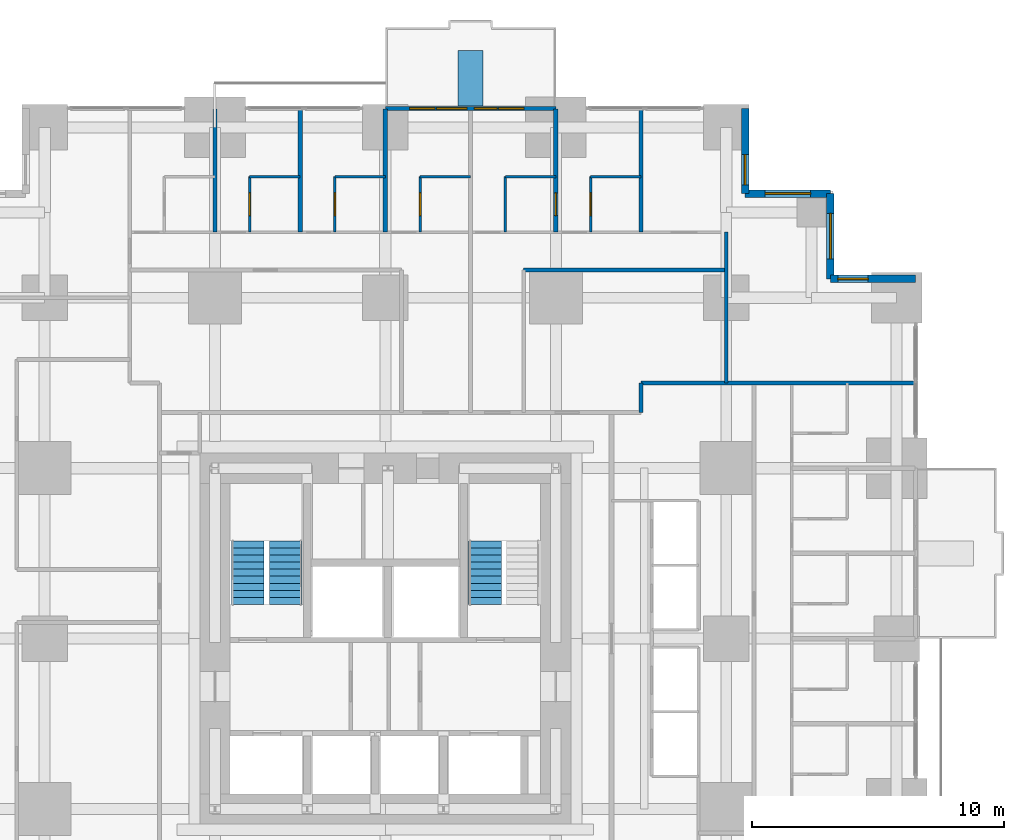
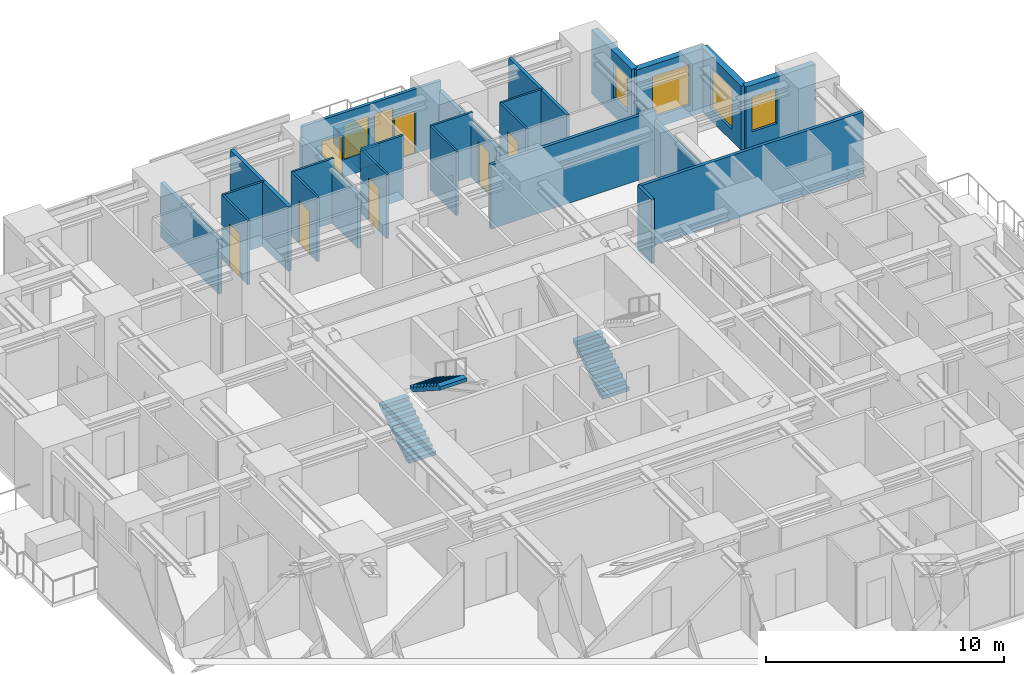
# One storey, part 13 of 15: 25 walls, 7 doors, 6 windows, 3 stair flights, 13 openings, 2 elements without a shape of their own.
"""IFC4 building model written with IfcOpenShell, lengths in metres."""

import ifcopenshell
import ifcopenshell.guid

model = None  # the IFC model being written
_history = None  # IfcOwnerHistory: only IFC2X3 demands one
_inside = {}  # id of a spatial element -> (the spatial element, [elements in it])
_under = {}  # id of a project, library or spatial element -> (it, [spatial elements below it])
_declared = {}  # id of a project -> (the project, [libraries it declares])
_typed = {}  # id of a type object -> (the type object, [elements of that type])
_made_of = {}  # id of a material, layer set ... -> (it, [elements and type objects made of it])


def new_model(schema):
    """Start an empty IFC model of exactly this schema.

    Asked for "IFC4X3", IfcOpenShell would pick the latest addendum, in which some entities
    have other attributes; the version numbers below select the first issue.
    IFC2X3 requires an IfcOwnerHistory on every rooted entity: one is made here for all.
    """
    global model, _history
    if schema == "IFC4X3":
        model = ifcopenshell.file(schema_version=(4, 3, 0, 0))
    else:
        model = ifcopenshell.file(schema=schema)
    _inside.clear()
    _under.clear()
    _declared.clear()
    _typed.clear()
    _made_of.clear()
    _history = None
    if model.schema == "IFC2X3":
        org = make("IfcOrganization", Name="unknown")
        user = make(
            "IfcPersonAndOrganization",
            ThePerson=make("IfcPerson", FamilyName="unknown"),
            TheOrganization=org,
        )
        app = make(
            "IfcApplication",
            ApplicationDeveloper=org,
            Version="unknown",
            ApplicationFullName="unknown",
            ApplicationIdentifier="unknown",
        )
        _history = make(
            "IfcOwnerHistory",
            OwningUser=user,
            OwningApplication=app,
            ChangeAction="ADDED",
            CreationDate=0,
        )
    return model


def make(cls, **values):
    """One entity of the class cls with the attributes given. An attribute that is None is left unset."""
    return model.create_entity(
        cls, **{name: value for name, value in values.items() if value is not None}
    )


def rooted(cls, **values):
    """An entity with a GlobalId (a new one), such as an element, a storey or a relation."""
    return make(cls, GlobalId=ifcopenshell.guid.new(), OwnerHistory=_history, **values)


def si_unit(unit_type, name, prefix=None):
    """IfcSIUnit, for example si_unit("LENGTHUNIT", "METRE", prefix="MILLI")."""
    return make("IfcSIUnit", UnitType=unit_type, Prefix=prefix, Name=name)


def assignment(units):
    """IfcUnitAssignment: the units of a project."""
    return None if units is None else make("IfcUnitAssignment", Units=units)


def point(xyz):
    """IfcCartesianPoint."""
    return None if xyz is None else make("IfcCartesianPoint", Coordinates=xyz)


def direction(xyz):
    """IfcDirection."""
    return None if xyz is None else make("IfcDirection", DirectionRatios=xyz)


def frame(location, z_axis=None, x_axis=None):
    """IfcAxis2Placement3D, a coordinate frame: its origin and axes. An axis left out is left unset."""
    return make(
        "IfcAxis2Placement3D",
        Location=point(location),
        Axis=direction(z_axis),
        RefDirection=direction(x_axis),
    )


def frame_2d(location, x_axis=None):
    """IfcAxis2Placement2D, a coordinate frame in the plane: its origin and x axis."""
    return make(
        "IfcAxis2Placement2D", Location=point(location), RefDirection=direction(x_axis)
    )


def origin():
    """The frame at (0, 0, 0) with its axes left unset."""
    return frame((0.0, 0.0, 0.0))


def place(relative_to, where):
    """IfcLocalPlacement: puts the frame where relative to a parent placement (None: the world)."""
    return make(
        "IfcLocalPlacement", PlacementRelTo=relative_to, RelativePlacement=where
    )


def context(
    kind, dimensions, precision=None, world=None, true_north=None, identifier=None
):
    """IfcGeometricRepresentationContext, for example the 3D "Model" context."""
    return make(
        "IfcGeometricRepresentationContext",
        ContextIdentifier=identifier,
        ContextType=kind,
        CoordinateSpaceDimension=dimensions,
        Precision=precision,
        WorldCoordinateSystem=world,
        TrueNorth=true_north,
    )


def subcontext(parent, identifier, kind, view, scale=None):
    """IfcGeometricRepresentationSubContext, for example "Body" below "Model"."""
    return make(
        "IfcGeometricRepresentationSubContext",
        ContextIdentifier=identifier,
        ContextType=kind,
        ParentContext=parent,
        TargetScale=scale,
        TargetView=view,
    )


def project(units=None, contexts=None):
    """IfcProject with its units and contexts."""
    return rooted(
        "IfcProject",
        Name="project",
        RepresentationContexts=contexts,
        UnitsInContext=assignment(units),
    )


def spatial(cls, under=None, at=None, **own):
    """A site, building, storey or space (cls), placed at a placement, below another one or the project."""
    s = rooted(cls, ObjectPlacement=at, **own)
    if under is not None:
        _under.setdefault(under.id(), (under, []))[1].append(s)
    return s


def polyline(points):
    """IfcPolyline through the points."""
    return make("IfcPolyline", Points=[point(p) for p in points])


def profile(cls, at=None, kind="AREA", **sizes):
    """A parametric profile (cls). Its sizes go by their IFC names, for example OverallWidth=200.0."""
    return make(cls, ProfileType=kind, Position=at, **sizes)


def rectangle(**sizes):
    """IfcRectangleProfileDef."""
    return profile("IfcRectangleProfileDef", **sizes)


def outline(outer, holes=None, kind="AREA"):
    """IfcArbitraryClosedProfileDef: a profile drawn as a closed curve; with holes, ...WithVoids."""
    if holes is None:
        return make("IfcArbitraryClosedProfileDef", ProfileType=kind, OuterCurve=outer)
    return make(
        "IfcArbitraryProfileDefWithVoids",
        ProfileType=kind,
        OuterCurve=outer,
        InnerCurves=holes,
    )


def extrude(swept, where, along, depth):
    """IfcExtrudedAreaSolid: the profile swept, set in the frame where, extruded along a direction by depth."""
    return make(
        "IfcExtrudedAreaSolid",
        SweptArea=swept,
        Position=where,
        ExtrudedDirection=direction(along),
        Depth=depth,
    )


def shape(context_of_items, identifier, shape_type, items):
    """IfcShapeRepresentation: the items that make up one representation, for example the "Body"."""
    return make(
        "IfcShapeRepresentation",
        ContextOfItems=context_of_items,
        RepresentationIdentifier=identifier,
        RepresentationType=shape_type,
        Items=items,
    )


def material(Name=None, Category=None):
    """IfcMaterial."""
    return make("IfcMaterial", Name=Name, Category=Category)


def layer(
    of_material, thickness, ventilated=None, Name=None, Category=None, Priority=None
):
    """IfcMaterialLayer: one layer of a wall or slab, of a material (None: an air gap)."""
    return make(
        "IfcMaterialLayer",
        Material=of_material,
        LayerThickness=thickness,
        IsVentilated=ventilated,
        Name=Name,
        Category=Category,
        Priority=Priority,
    )


def layer_set(layers, Name=None):
    """IfcMaterialLayerSet."""
    return make("IfcMaterialLayerSet", MaterialLayers=layers, LayerSetName=Name)


def made_of(thing, what):
    """Note that an element or type object is made of a material, layer set ...; save() writes the relation."""
    if what is not None:
        _made_of.setdefault(what.id(), (what, []))[1].append(thing)
    return thing


def type_object(cls, material=None, **own):
    """A type object (cls), such as IfcWallType, which elements share."""
    return made_of(rooted(cls, **own), material)


def element(
    cls,
    number,
    at=None,
    inside=None,
    cuts=None,
    type_object=None,
    material=None,
    context=None,
    identifier="Body",
    shape_type=None,
    held_by="IfcProductDefinitionShape",
    body=None,
    shapes=None,
    **own,
):
    """One element of the class cls, such as IfcWall. Its Tag is "e" and its number.

    at: its placement. inside: the storey or other place that contains it. cuts: it is an
    opening in that element (IfcRelVoidsElement). A single representation is given by context,
    identifier, shape_type and body (its items); several are given by shapes. held_by: the class
    of the entity that holds the representations. save() writes the other relations.
    """
    e = rooted(cls, Tag="e%d" % number, ObjectPlacement=at, **own)
    if body is not None:
        shapes = [shape(context, identifier, shape_type, body)]
    if shapes is not None:
        e.Representation = make(held_by, Representations=shapes)
    if inside is not None:
        _inside.setdefault(inside.id(), (inside, []))[1].append(e)
    if cuts is not None:
        rooted(
            "IfcRelVoidsElement", RelatingBuildingElement=cuts, RelatedOpeningElement=e
        )
    if type_object is not None:
        _typed.setdefault(type_object.id(), (type_object, []))[1].append(e)
    return made_of(e, material)


def fill(opening, filler):
    """IfcRelFillsElement: the door or window that sits in an opening."""
    return rooted(
        "IfcRelFillsElement",
        RelatingOpeningElement=opening,
        RelatedBuildingElement=filler,
    )


def aggregate(whole, parts):
    """IfcRelAggregates: a whole, such as a stair, and the parts it consists of."""
    return rooted("IfcRelAggregates", RelatingObject=whole, RelatedObjects=parts)


def save(model, path):
    """Write the relations noted so far, then the file.

    IfcRelAggregates (storeys below a building ...), IfcRelContainedInSpatialStructure (elements
    in a storey), IfcRelDefinesByType, IfcRelAssociatesMaterial and IfcRelDeclares: one each for
    every whole, place, type object, material and project.
    """
    for whole, parts in _under.values():
        aggregate(whole, parts)
    for where, things in _inside.values():
        rooted(
            "IfcRelContainedInSpatialStructure",
            RelatedElements=things,
            RelatingStructure=where,
        )
    for kind, things in _typed.values():
        rooted("IfcRelDefinesByType", RelatedObjects=things, RelatingType=kind)
    for what, things in _made_of.values():
        rooted("IfcRelAssociatesMaterial", RelatedObjects=things, RelatingMaterial=what)
    for by, libraries in _declared.values():
        rooted("IfcRelDeclares", RelatingContext=by, RelatedDefinitions=libraries)
    model.write(path)


model = new_model("IFC4")

# Units and contexts
model_context = context("Model", 3, precision=1e-05, world=origin(), true_north=direction((0.0, 1.0)))
body_context = subcontext(model_context, "Body", "Model", "MODEL_VIEW")
ifc_project = project(units=[si_unit("LENGTHUNIT", "METRE"), si_unit("AREAUNIT", "SQUARE_METRE"), si_unit("VOLUMEUNIT", "CUBIC_METRE"), si_unit("PLANEANGLEUNIT", "RADIAN"), si_unit("MASSUNIT", "GRAM", prefix="KILO")], contexts=[model_context])

# Site, building, storey
site_placement = place(None, origin())
site = spatial("IfcSite", under=ifc_project, at=site_placement, CompositionType="ELEMENT")
building_placement = place(site_placement, origin())
building = spatial("IfcBuilding", under=site, at=building_placement, Name="Nyansa Garden Tower", CompositionType="ELEMENT")
storey_placement = place(building_placement, frame((0.0, 0.0, 72.0)))
storey = spatial("IfcBuildingStorey", under=building, at=storey_placement, Name="L19", CompositionType="ELEMENT", Elevation=72.0)

# Walls
ifc_material_1 = material(Name="Dense blockwork, plastered both sides, 55 dB", Category="masonry")
ifc_layer_1 = layer(ifc_material_1, 0.175048828125)
ifc_layer_set_1 = layer_set([ifc_layer_1], Name="Acoustic party wall PW175")
wall_type_1 = type_object("IfcWallType", Name="Acoustic party wall PW175", PredefinedType="PARTITIONING", material=ifc_layer_set_1)
wall_1_placement = place(storey_placement, frame((13.5, 36.35009765625, 0.0), z_axis=(0.0, 0.0, 1.0), x_axis=(0.0, 1.0, 0.0)))
element("IfcWall", 1, at=wall_1_placement, inside=storey, type_object=wall_type_1, Name="Party wall", PredefinedType="PARTITIONING", context=body_context, shape_type="SweptSolid", body=[
    extrude(rectangle(XDim=4.8837890625, YDim=0.175048828125, at=frame_2d((2.44189453125, 0.0))), origin(), (0.0, 0.0, 1.0), 2.802001953125),
])
wall_2_placement = place(storey_placement, frame((16.875, 36.35009765625, 0.0), z_axis=(0.0, 0.0, 1.0), x_axis=(0.0, 1.0, 0.0)))
element("IfcWall", 2, at=wall_2_placement, inside=storey, type_object=wall_type_1, Name="Party wall", PredefinedType="PARTITIONING", context=body_context, shape_type="SweptSolid", body=[
    extrude(rectangle(XDim=4.8837890625, YDim=0.175048828125, at=frame_2d((2.44189453125, 0.0))), origin(), (0.0, 0.0, 1.0), 3.300048828125),
])
wall_3_placement = place(storey_placement, frame((20.25, 36.35009765625, 0.0), z_axis=(0.0, 0.0, 1.0), x_axis=(0.0, 1.0, 0.0)))
element("IfcWall", 3, at=wall_3_placement, inside=storey, type_object=wall_type_1, Name="Party wall", PredefinedType="PARTITIONING", context=body_context, shape_type="SweptSolid", body=[
    extrude(rectangle(XDim=4.8837890625, YDim=0.175048828125, at=frame_2d((2.44189453125, 0.0))), origin(), (0.0, 0.0, 1.0), 2.73095703125),
])

# Wall, opening, door
wall_4_placement = place(storey_placement, frame((27.0, 36.35009765625, 0.0), z_axis=(0.0, 0.0, 1.0), x_axis=(0.0, 1.0, 0.0)))
wall_4 = element("IfcWall", 4, at=wall_4_placement, inside=storey, type_object=wall_type_1, Name="Party wall", PredefinedType="PARTITIONING", context=body_context, shape_type="SweptSolid", body=[
    extrude(rectangle(XDim=4.8837890625, YDim=0.175048828125, at=frame_2d((2.44189453125, 0.0))), origin(), (0.0, 0.0, 1.0), 2.802001953125),
])
opening_1_placement = place(wall_4_placement, frame((0.64990234375, 0.0, 0.0)))
opening_1 = element("IfcOpeningElement", 5, at=opening_1_placement, cuts=wall_4, Name="Opening D02", PredefinedType="OPENING", context=body_context, shape_type="SweptSolid", body=[
    extrude(rectangle(XDim=0.89990234375, YDim=2.199951171875, at=frame_2d((0.449951171875, 1.10009765625))), frame((0.0, 0.097412109375, 0.0), z_axis=(0.0, -1.0, 0.0), x_axis=(1.0, 0.0, 0.0)), (0.0, 0.0, 1.0), 0.195068359375),
])
ifc_material_2 = material(Name="Timber flush door", Category="wood")
door_type_1 = type_object("IfcDoorType", Name="En-suite door D02 900x2200", OperationType="SINGLE_SWING_RIGHT", PredefinedType="DOOR", material=ifc_material_2)
door_1_placement = place(opening_1_placement, origin())
door_1 = element("IfcDoor", 6, at=door_1_placement, inside=storey, type_object=door_type_1, Name="Door L19-053", OperationType="SINGLE_SWING_RIGHT", OverallHeight=2.199951171875, OverallWidth=0.89990234375, PredefinedType="DOOR", context=body_context, shape_type="SweptSolid", body=[
    extrude(rectangle(XDim=0.89990234375, YDim=2.199951171875, at=frame_2d((0.449951171875, 1.10009765625))), frame((0.0, 0.02490234375, 0.0), z_axis=(0.0, -1.0, 0.0), x_axis=(1.0, 0.0, 0.0)), (0.0, 0.0, 1.0), 0.050048828125),
])
fill(opening_1, door_1)

# Wall, openings, doors, windows
ifc_material_3 = material(Name="Black aluminium framed glazed screen", Category="aluminium")
ifc_layer_2 = layer(ifc_material_3, 0.14990234375)
ifc_layer_set_2 = layer_set([ifc_layer_2], Name="Balcony screen wall BW150")
wall_type_2 = type_object("IfcWallType", Name="Balcony screen wall BW150", PredefinedType="SOLIDWALL", material=ifc_layer_set_2)
wall_5_placement = place(storey_placement, frame((20.25, 41.25, 0.0), z_axis=(0.0, 0.0, 1.0), x_axis=(1.0, 0.0, 0.0)))
wall_5 = element("IfcWall", 7, at=wall_5_placement, inside=storey, type_object=wall_type_2, Name="Glazed screen wall L19 N", PredefinedType="SOLIDWALL", context=body_context, shape_type="SweptSolid", body=[
    extrude(rectangle(XDim=6.75, YDim=0.14990234375, at=frame_2d((3.375, 0.0))), origin(), (0.0, 0.0, 1.0), 3.300048828125),
])
opening_2_placement = place(wall_5_placement, frame((0.96240234375, 0.0, 0.0)))
opening_2 = element("IfcOpeningElement", 8, at=opening_2_placement, cuts=wall_5, Name="Opening D20", PredefinedType="OPENING", context=body_context, shape_type="SweptSolid", body=[
    extrude(rectangle(XDim=1.0, YDim=2.199951171875, at=frame_2d((0.5, 1.10009765625))), frame((0.0, 0.0849609375, 0.0), z_axis=(0.0, -1.0, 0.0), x_axis=(1.0, 0.0, 0.0)), (0.0, 0.0, 1.0), 0.169921875),
])
opening_3_placement = place(wall_5_placement, frame((2.02490234375, 0.0, 0.89990234375)))
opening_3 = element("IfcOpeningElement", 9, at=opening_3_placement, cuts=wall_5, Name="Opening W6", PredefinedType="OPENING", context=body_context, shape_type="SweptSolid", body=[
    extrude(rectangle(XDim=1.199951171875, YDim=1.800048828125, at=frame_2d((0.60009765625, 0.89990234375))), frame((0.0, 0.0849609375, 0.0), z_axis=(0.0, -1.0, 0.0), x_axis=(1.0, 0.0, 0.0)), (0.0, 0.0, 1.0), 0.169921875),
])
opening_4_placement = place(wall_5_placement, frame((4.487548828125, 0.0, 0.0)))
opening_4 = element("IfcOpeningElement", 10, at=opening_4_placement, cuts=wall_5, Name="Opening D20", PredefinedType="OPENING", context=body_context, shape_type="SweptSolid", body=[
    extrude(rectangle(XDim=1.0, YDim=2.199951171875, at=frame_2d((0.5, 1.10009765625))), frame((0.0, 0.0849609375, 0.0), z_axis=(0.0, -1.0, 0.0), x_axis=(1.0, 0.0, 0.0)), (0.0, 0.0, 1.0), 0.169921875),
])
opening_5_placement = place(wall_5_placement, frame((3.52490234375, 0.0, 0.89990234375)))
opening_5 = element("IfcOpeningElement", 11, at=opening_5_placement, cuts=wall_5, Name="Opening W7", PredefinedType="OPENING", context=body_context, shape_type="SweptSolid", body=[
    extrude(rectangle(XDim=0.89990234375, YDim=1.800048828125, at=frame_2d((0.449951171875, 0.89990234375))), frame((0.0, 0.0849609375, 0.0), z_axis=(0.0, -1.0, 0.0), x_axis=(1.0, 0.0, 0.0)), (0.0, 0.0, 1.0), 0.169921875),
])
ifc_material_4 = material(Name="Black aluminium framed glazed door", Category="aluminium")
door_type_2 = type_object("IfcDoorType", Name="Balcony door D20 1000x2200", OperationType="NOTDEFINED", PredefinedType="DOOR", material=ifc_material_4)
door_2_placement = place(opening_2_placement, origin())
door_2 = element("IfcDoor", 12, at=door_2_placement, inside=storey, type_object=door_type_2, Name="Balcony door L19", OperationType="SINGLE_SWING_LEFT", OverallHeight=2.199951171875, OverallWidth=1.0, PredefinedType="DOOR", context=body_context, shape_type="SweptSolid", body=[
    extrude(rectangle(XDim=1.0, YDim=2.199951171875, at=frame_2d((0.5, 1.10009765625))), frame((0.0, 0.02490234375, 0.0), z_axis=(0.0, -1.0, 0.0), x_axis=(1.0, 0.0, 0.0)), (0.0, 0.0, 1.0), 0.050048828125),
])
fill(opening_2, door_2)
door_3_placement = place(opening_4_placement, origin())
door_3 = element("IfcDoor", 13, at=door_3_placement, inside=storey, type_object=door_type_2, Name="Balcony door L19", OperationType="SINGLE_SWING_RIGHT", OverallHeight=2.199951171875, OverallWidth=1.0, PredefinedType="DOOR", context=body_context, shape_type="SweptSolid", body=[
    extrude(rectangle(XDim=1.0, YDim=2.199951171875, at=frame_2d((0.5, 1.10009765625))), frame((0.0, 0.02490234375, 0.0), z_axis=(0.0, -1.0, 0.0), x_axis=(1.0, 0.0, 0.0)), (0.0, 0.0, 1.0), 0.050048828125),
])
fill(opening_4, door_3)
ifc_material_5 = material(Name="Black aluminium frame, dark tinted double glazing", Category="aluminium")
window_type_1 = type_object("IfcWindowType", Name="Balcony window W6 1200x1800", PartitioningType="SINGLE_PANEL", PredefinedType="WINDOW", material=ifc_material_5)
window_1_placement = place(opening_3_placement, origin())
window_1 = element("IfcWindow", 14, at=window_1_placement, inside=storey, type_object=window_type_1, Name="Window L19", OverallHeight=1.800048828125, OverallWidth=1.199951171875, PartitioningType="SINGLE_PANEL", PredefinedType="WINDOW", context=body_context, shape_type="SweptSolid", body=[
    extrude(rectangle(XDim=1.199951171875, YDim=1.800048828125, at=frame_2d((0.60009765625, 0.89990234375))), frame((0.0, 0.030029296875, 0.0), z_axis=(0.0, -1.0, 0.0), x_axis=(1.0, 0.0, 0.0)), (0.0, 0.0, 1.0), 0.06005859375),
])
fill(opening_3, window_1)
ifc_material_6 = material(Name="Black aluminium frame, dark tinted double glazing", Category="aluminium")
window_type_2 = type_object("IfcWindowType", Name="Balcony window W7 900x1800", PartitioningType="SINGLE_PANEL", PredefinedType="WINDOW", material=ifc_material_6)
window_2_placement = place(opening_5_placement, origin())
window_2 = element("IfcWindow", 15, at=window_2_placement, inside=storey, type_object=window_type_2, Name="Window L19", OverallHeight=1.800048828125, OverallWidth=0.89990234375, PartitioningType="SINGLE_PANEL", PredefinedType="WINDOW", context=body_context, shape_type="SweptSolid", body=[
    extrude(rectangle(XDim=0.89990234375, YDim=1.800048828125, at=frame_2d((0.449951171875, 0.89990234375))), frame((0.0, 0.030029296875, 0.0), z_axis=(0.0, -1.0, 0.0), x_axis=(1.0, 0.0, 0.0)), (0.0, 0.0, 1.0), 0.06005859375),
])
fill(opening_5, window_2)

# Walls
ifc_material_7 = material(Name="Blockwork, plastered both sides", Category="masonry")
ifc_layer_3 = layer(ifc_material_7, 0.14990234375)
ifc_layer_set_3 = layer_set([ifc_layer_3], Name="Partition PW150")
wall_type_3 = type_object("IfcWallType", Name="Partition PW150", PredefinedType="PARTITIONING", material=ifc_layer_set_3)
wall_6_placement = place(storey_placement, frame((25.72509765625, 34.85009765625, 0.0), z_axis=(0.0, 0.0, 1.0), x_axis=(1.0, 0.0, 0.0)))
element("IfcWall", 16, at=wall_6_placement, inside=storey, type_object=wall_type_3, Name="Partition", PredefinedType="PARTITIONING", context=body_context, shape_type="SweptSolid", body=[
    extrude(rectangle(XDim=8.02490234375, YDim=0.14990234375, at=frame_2d((4.012451171875, 0.0))), origin(), (0.0, 0.0, 1.0), 3.300048828125),
])
wall_7_placement = place(storey_placement, frame((30.375, 29.199951171875, 0.0), z_axis=(0.0, 0.0, 1.0), x_axis=(0.0, 1.0, 0.0)))
element("IfcWall", 17, at=wall_7_placement, inside=storey, type_object=wall_type_3, Name="Partition", PredefinedType="PARTITIONING", context=body_context, shape_type="SweptSolid", body=[
    extrude(rectangle(XDim=1.175048828125, YDim=0.14990234375, at=frame_2d((0.58740234375, 0.0))), origin(), (0.0, 0.0, 1.0), 3.300048828125),
])
wall_8_placement = place(storey_placement, frame((30.375, 30.375, 0.0), z_axis=(0.0, 0.0, 1.0), x_axis=(1.0, 0.0, 0.0)))
element("IfcWall", 18, at=wall_8_placement, inside=storey, type_object=wall_type_3, Name="Partition", PredefinedType="PARTITIONING", context=body_context, shape_type="SweptSolid", body=[
    extrude(rectangle(XDim=10.85888671875, YDim=0.14990234375, at=frame_2d((5.429443359375, 0.0))), origin(), (0.0, 0.0, 1.0), 3.300048828125),
])
wall_9_placement = place(storey_placement, frame((30.375, 36.35009765625, 0.0), z_axis=(0.0, 0.0, 1.0), x_axis=(0.0, 1.0, 0.0)))
element("IfcWall", 19, at=wall_9_placement, inside=storey, type_object=wall_type_3, Name="Partition", PredefinedType="PARTITIONING", context=body_context, shape_type="SweptSolid", body=[
    extrude(rectangle(XDim=4.8837890625, YDim=0.14990234375, at=frame_2d((2.44189453125, 0.0))), origin(), (0.0, 0.0, 1.0), 3.300048828125),
])
wall_10_placement = place(storey_placement, frame((33.75, 30.375, 0.0), z_axis=(0.0, 0.0, 1.0), x_axis=(0.0, 1.0, 0.0)))
element("IfcWall", 20, at=wall_10_placement, inside=storey, type_object=wall_type_3, Name="Partition", PredefinedType="PARTITIONING", context=body_context, shape_type="SweptSolid", body=[
    extrude(rectangle(XDim=5.97509765625, YDim=0.14990234375, at=frame_2d((2.987548828125, 0.0))), origin(), (0.0, 0.0, 1.0), 2.802001953125),
])

# Wall, opening, window
ifc_material_8 = material(Name="Turquoise glazed tile on concrete blockwork", Category="masonry")
ifc_layer_4 = layer(ifc_material_8, 0.300048828125)
ifc_layer_set_4 = layer_set([ifc_layer_4], Name="Tiled corner wall TW300")
wall_type_4 = type_object("IfcWallType", Name="Tiled corner wall TW300", PredefinedType="SOLIDWALL", material=ifc_layer_set_4)
wall_11_placement = place(storey_placement, frame((41.25, 34.5, 0.0), z_axis=(0.0, 0.0, 1.0), x_axis=(-1.0, 0.0, 0.0)))
wall_11 = element("IfcWall", 21, at=wall_11_placement, inside=storey, type_object=wall_type_4, Name="Tiled corner wall L19", PredefinedType="SOLIDWALL", context=body_context, shape_type="SweptSolid", body=[
    extrude(rectangle(XDim=3.375, YDim=0.300048828125, at=frame_2d((1.6875, 0.0))), origin(), (0.0, 0.0, 1.0), 3.300048828125),
])
opening_6_placement = place(wall_11_placement, frame((1.882568359375, 0.0, 0.89990234375)))
opening_6 = element("IfcOpeningElement", 22, at=opening_6_placement, cuts=wall_11, Name="Opening W4", PredefinedType="OPENING", context=body_context, shape_type="SweptSolid", body=[
    extrude(rectangle(XDim=1.199951171875, YDim=1.800048828125, at=frame_2d((0.60009765625, 0.89990234375))), frame((0.0, 0.159912109375, 0.0), z_axis=(0.0, -1.0, 0.0), x_axis=(1.0, 0.0, 0.0)), (0.0, 0.0, 1.0), 0.320068359375),
])
ifc_material_9 = material(Name="Black aluminium frame, dark tinted double glazing", Category="aluminium")
window_type_3 = type_object("IfcWindowType", Name="Window W4 1200x1800", PartitioningType="SINGLE_PANEL", PredefinedType="WINDOW", material=ifc_material_9)
window_3_placement = place(opening_6_placement, origin())
window_3 = element("IfcWindow", 23, at=window_3_placement, inside=storey, type_object=window_type_3, Name="Corner window L19", OverallHeight=1.800048828125, OverallWidth=1.199951171875, PartitioningType="SINGLE_PANEL", PredefinedType="WINDOW", context=body_context, shape_type="SweptSolid", body=[
    extrude(rectangle(XDim=1.199951171875, YDim=1.800048828125, at=frame_2d((0.60009765625, 0.89990234375))), frame((0.0, 0.030029296875, 0.0), z_axis=(0.0, -1.0, 0.0), x_axis=(1.0, 0.0, 0.0)), (0.0, 0.0, 1.0), 0.06005859375),
])
fill(opening_6, window_3)

wall_12_placement = place(storey_placement, frame((37.875, 34.5, 0.0), z_axis=(0.0, 0.0, 1.0), x_axis=(0.0, 1.0, 0.0)))
wall_12 = element("IfcWall", 24, at=wall_12_placement, inside=storey, type_object=wall_type_4, Name="Tiled corner wall L19", PredefinedType="SOLIDWALL", context=body_context, shape_type="SweptSolid", body=[
    extrude(rectangle(XDim=3.375, YDim=0.300048828125, at=frame_2d((1.6875, 0.0))), origin(), (0.0, 0.0, 1.0), 3.300048828125),
])
opening_7_placement = place(wall_12_placement, frame((0.78759765625, 0.0, 0.60009765625)))
opening_7 = element("IfcOpeningElement", 25, at=opening_7_placement, cuts=wall_12, Name="Opening W2", PredefinedType="OPENING", context=body_context, shape_type="SweptSolid", body=[
    extrude(rectangle(XDim=1.800048828125, YDim=2.10009765625, at=frame_2d((0.89990234375, 1.050048828125))), frame((0.0, 0.159912109375, 0.0), z_axis=(0.0, -1.0, 0.0), x_axis=(1.0, 0.0, 0.0)), (0.0, 0.0, 1.0), 0.320068359375),
])
ifc_material_10 = material(Name="Black aluminium frame, dark tinted double glazing", Category="aluminium")
window_type_4 = type_object("IfcWindowType", Name="Window W2 1800x2100", PartitioningType="SINGLE_PANEL", PredefinedType="WINDOW", material=ifc_material_10)
window_4_placement = place(opening_7_placement, origin())
window_4 = element("IfcWindow", 26, at=window_4_placement, inside=storey, type_object=window_type_4, Name="Corner window L19", OverallHeight=2.10009765625, OverallWidth=1.800048828125, PartitioningType="SINGLE_PANEL", PredefinedType="WINDOW", context=body_context, shape_type="SweptSolid", body=[
    extrude(rectangle(XDim=1.800048828125, YDim=2.10009765625, at=frame_2d((0.89990234375, 1.050048828125))), frame((0.0, 0.030029296875, 0.0), z_axis=(0.0, -1.0, 0.0), x_axis=(1.0, 0.0, 0.0)), (0.0, 0.0, 1.0), 0.06005859375),
])
fill(opening_7, window_4)

wall_13_placement = place(storey_placement, frame((37.875, 37.875, 0.0), z_axis=(0.0, 0.0, 1.0), x_axis=(-1.0, 0.0, 0.0)))
wall_13 = element("IfcWall", 27, at=wall_13_placement, inside=storey, type_object=wall_type_4, Name="Tiled corner wall L19", PredefinedType="SOLIDWALL", context=body_context, shape_type="SweptSolid", body=[
    extrude(rectangle(XDim=3.375, YDim=0.300048828125, at=frame_2d((1.6875, 0.0))), origin(), (0.0, 0.0, 1.0), 3.300048828125),
])
opening_8_placement = place(wall_13_placement, frame((0.78759765625, 0.0, 0.60009765625)))
opening_8 = element("IfcOpeningElement", 28, at=opening_8_placement, cuts=wall_13, Name="Opening W2", PredefinedType="OPENING", context=body_context, shape_type="SweptSolid", body=[
    extrude(rectangle(XDim=1.800048828125, YDim=2.10009765625, at=frame_2d((0.89990234375, 1.050048828125))), frame((0.0, 0.159912109375, 0.0), z_axis=(0.0, -1.0, 0.0), x_axis=(1.0, 0.0, 0.0)), (0.0, 0.0, 1.0), 0.320068359375),
])
window_5_placement = place(opening_8_placement, origin())
window_5 = element("IfcWindow", 29, at=window_5_placement, inside=storey, type_object=window_type_4, Name="Corner window L19", OverallHeight=2.10009765625, OverallWidth=1.800048828125, PartitioningType="SINGLE_PANEL", PredefinedType="WINDOW", context=body_context, shape_type="SweptSolid", body=[
    extrude(rectangle(XDim=1.800048828125, YDim=2.10009765625, at=frame_2d((0.89990234375, 1.050048828125))), frame((0.0, 0.030029296875, 0.0), z_axis=(0.0, -1.0, 0.0), x_axis=(1.0, 0.0, 0.0)), (0.0, 0.0, 1.0), 0.06005859375),
])
fill(opening_8, window_5)

wall_14_placement = place(storey_placement, frame((34.5, 37.875, 0.0), z_axis=(0.0, 0.0, 1.0), x_axis=(0.0, 1.0, 0.0)))
wall_14 = element("IfcWall", 30, at=wall_14_placement, inside=storey, type_object=wall_type_4, Name="Tiled corner wall L19", PredefinedType="SOLIDWALL", context=body_context, shape_type="SweptSolid", body=[
    extrude(rectangle(XDim=3.375, YDim=0.300048828125, at=frame_2d((1.6875, 0.0))), origin(), (0.0, 0.0, 1.0), 3.300048828125),
])
opening_9_placement = place(wall_14_placement, frame((0.342529296875, 0.0, 0.89990234375)))
opening_9 = element("IfcOpeningElement", 31, at=opening_9_placement, cuts=wall_14, Name="Opening W4", PredefinedType="OPENING", context=body_context, shape_type="SweptSolid", body=[
    extrude(rectangle(XDim=1.199951171875, YDim=1.800048828125, at=frame_2d((0.60009765625, 0.89990234375))), frame((0.0, 0.159912109375, 0.0), z_axis=(0.0, -1.0, 0.0), x_axis=(1.0, 0.0, 0.0)), (0.0, 0.0, 1.0), 0.320068359375),
])
window_6_placement = place(opening_9_placement, origin())
window_6 = element("IfcWindow", 32, at=window_6_placement, inside=storey, type_object=window_type_3, Name="Corner window L19", OverallHeight=1.800048828125, OverallWidth=1.199951171875, PartitioningType="SINGLE_PANEL", PredefinedType="WINDOW", context=body_context, shape_type="SweptSolid", body=[
    extrude(rectangle(XDim=1.199951171875, YDim=1.800048828125, at=frame_2d((0.60009765625, 0.89990234375))), frame((0.0, 0.030029296875, 0.0), z_axis=(0.0, -1.0, 0.0), x_axis=(1.0, 0.0, 0.0)), (0.0, 0.0, 1.0), 0.06005859375),
])
fill(opening_9, window_6)

# Wall
ifc_material_11 = material(Name="Concrete C40/50 planter, waterproofed", Category="concrete")
ifc_layer_5 = layer(ifc_material_11, 1.0)
ifc_layer_set_5 = layer_set([ifc_layer_5], Name="Tree planter TP1")
wall_type_5 = type_object("IfcWallType", Name="Tree planter TP1", PredefinedType="USERDEFINED", material=ifc_layer_set_5)
wall_15_placement = place(storey_placement, frame((23.625, 41.35009765625, 0.0), z_axis=(0.0, 0.0, 1.0), x_axis=(0.0, 1.0, 0.0)))
element("IfcWall", 33, at=wall_15_placement, inside=storey, type_object=wall_type_5, Name="Tree planter L19", ObjectType="TREE PLANTER", PredefinedType="USERDEFINED", context=body_context, shape_type="SweptSolid", body=[
    extrude(rectangle(XDim=2.199951171875, YDim=1.0, at=frame_2d((1.10009765625, 0.0))), origin(), (0.0, 0.0, 1.0), 0.89990234375),
])

# Wall, opening, door
ifc_material_12 = material(Name="Moisture resistant board on steel studs, tiled", Category="steel")
ifc_layer_6 = layer(ifc_material_12, 0.10009765625)
ifc_layer_set_6 = layer_set([ifc_layer_6], Name="Wet wall PW100")
wall_type_6 = type_object("IfcWallType", Name="Wet wall PW100", PredefinedType="PARTITIONING", material=ifc_layer_set_6)
wall_16_placement = place(storey_placement, frame((14.875, 36.35009765625, 0.0), z_axis=(0.0, 0.0, 1.0), x_axis=(0.0, 1.0, 0.0)))
wall_16 = element("IfcWall", 34, at=wall_16_placement, inside=storey, type_object=wall_type_6, Name="Wet wall", PredefinedType="PARTITIONING", context=body_context, shape_type="SweptSolid", body=[
    extrude(rectangle(XDim=2.199951171875, YDim=0.10009765625, at=frame_2d((1.10009765625, 0.0))), origin(), (0.0, 0.0, 1.0), 3.300048828125),
])
opening_10_placement = place(wall_16_placement, frame((0.64990234375, 0.0, 0.0)))
opening_10 = element("IfcOpeningElement", 35, at=opening_10_placement, cuts=wall_16, Name="Opening D02", PredefinedType="OPENING", context=body_context, shape_type="SweptSolid", body=[
    extrude(rectangle(XDim=0.89990234375, YDim=2.199951171875, at=frame_2d((0.449951171875, 1.10009765625))), frame((0.0, 0.06005859375, 0.0), z_axis=(0.0, -1.0, 0.0), x_axis=(1.0, 0.0, 0.0)), (0.0, 0.0, 1.0), 0.1201171875),
])
door_4_placement = place(opening_10_placement, origin())
door_4 = element("IfcDoor", 36, at=door_4_placement, inside=storey, type_object=door_type_1, Name="Door L19-058", OperationType="SINGLE_SWING_RIGHT", OverallHeight=2.199951171875, OverallWidth=0.89990234375, PredefinedType="DOOR", context=body_context, shape_type="SweptSolid", body=[
    extrude(rectangle(XDim=0.89990234375, YDim=2.199951171875, at=frame_2d((0.449951171875, 1.10009765625))), frame((0.0, 0.02490234375, 0.0), z_axis=(0.0, -1.0, 0.0), x_axis=(1.0, 0.0, 0.0)), (0.0, 0.0, 1.0), 0.050048828125),
])
fill(opening_10, door_4)

# Wall
wall_17_placement = place(storey_placement, frame((14.875, 38.550048828125, 0.0), z_axis=(0.0, 0.0, 1.0), x_axis=(1.0, 0.0, 0.0)))
element("IfcWall", 37, at=wall_17_placement, inside=storey, type_object=wall_type_6, Name="Wet wall", PredefinedType="PARTITIONING", context=body_context, shape_type="SweptSolid", body=[
    extrude(rectangle(XDim=2.0, YDim=0.10009765625, at=frame_2d((1.0, 0.0))), origin(), (0.0, 0.0, 1.0), 3.300048828125),
])

# Wall, opening, door
wall_18_placement = place(storey_placement, frame((18.25, 36.35009765625, 0.0), z_axis=(0.0, 0.0, 1.0), x_axis=(0.0, 1.0, 0.0)))
wall_18 = element("IfcWall", 38, at=wall_18_placement, inside=storey, type_object=wall_type_6, Name="Wet wall", PredefinedType="PARTITIONING", context=body_context, shape_type="SweptSolid", body=[
    extrude(rectangle(XDim=2.199951171875, YDim=0.10009765625, at=frame_2d((1.10009765625, 0.0))), origin(), (0.0, 0.0, 1.0), 3.300048828125),
])
opening_11_placement = place(wall_18_placement, frame((0.64990234375, 0.0, 0.0)))
opening_11 = element("IfcOpeningElement", 39, at=opening_11_placement, cuts=wall_18, Name="Opening D02", PredefinedType="OPENING", context=body_context, shape_type="SweptSolid", body=[
    extrude(rectangle(XDim=0.89990234375, YDim=2.199951171875, at=frame_2d((0.449951171875, 1.10009765625))), frame((0.0, 0.06005859375, 0.0), z_axis=(0.0, -1.0, 0.0), x_axis=(1.0, 0.0, 0.0)), (0.0, 0.0, 1.0), 0.1201171875),
])
door_5_placement = place(opening_11_placement, origin())
door_5 = element("IfcDoor", 40, at=door_5_placement, inside=storey, type_object=door_type_1, Name="Door L19-060", OperationType="SINGLE_SWING_RIGHT", OverallHeight=2.199951171875, OverallWidth=0.89990234375, PredefinedType="DOOR", context=body_context, shape_type="SweptSolid", body=[
    extrude(rectangle(XDim=0.89990234375, YDim=2.199951171875, at=frame_2d((0.449951171875, 1.10009765625))), frame((0.0, 0.02490234375, 0.0), z_axis=(0.0, -1.0, 0.0), x_axis=(1.0, 0.0, 0.0)), (0.0, 0.0, 1.0), 0.050048828125),
])
fill(opening_11, door_5)

# Wall
wall_19_placement = place(storey_placement, frame((18.25, 38.550048828125, 0.0), z_axis=(0.0, 0.0, 1.0), x_axis=(1.0, 0.0, 0.0)))
element("IfcWall", 41, at=wall_19_placement, inside=storey, type_object=wall_type_6, Name="Wet wall", PredefinedType="PARTITIONING", context=body_context, shape_type="SweptSolid", body=[
    extrude(rectangle(XDim=2.0, YDim=0.10009765625, at=frame_2d((1.0, 0.0))), origin(), (0.0, 0.0, 1.0), 3.300048828125),
])

# Wall, opening, door
wall_20_placement = place(storey_placement, frame((21.625, 36.35009765625, 0.0), z_axis=(0.0, 0.0, 1.0), x_axis=(0.0, 1.0, 0.0)))
wall_20 = element("IfcWall", 42, at=wall_20_placement, inside=storey, type_object=wall_type_6, Name="Wet wall", PredefinedType="PARTITIONING", context=body_context, shape_type="SweptSolid", body=[
    extrude(rectangle(XDim=2.199951171875, YDim=0.10009765625, at=frame_2d((1.10009765625, 0.0))), origin(), (0.0, 0.0, 1.0), 3.300048828125),
])
opening_12_placement = place(wall_20_placement, frame((0.64990234375, 0.0, 0.0)))
opening_12 = element("IfcOpeningElement", 43, at=opening_12_placement, cuts=wall_20, Name="Opening D02", PredefinedType="OPENING", context=body_context, shape_type="SweptSolid", body=[
    extrude(rectangle(XDim=0.89990234375, YDim=2.199951171875, at=frame_2d((0.449951171875, 1.10009765625))), frame((0.0, 0.06005859375, 0.0), z_axis=(0.0, -1.0, 0.0), x_axis=(1.0, 0.0, 0.0)), (0.0, 0.0, 1.0), 0.1201171875),
])
door_6_placement = place(opening_12_placement, origin())
door_6 = element("IfcDoor", 44, at=door_6_placement, inside=storey, type_object=door_type_1, Name="Door L19-062", OperationType="SINGLE_SWING_RIGHT", OverallHeight=2.199951171875, OverallWidth=0.89990234375, PredefinedType="DOOR", context=body_context, shape_type="SweptSolid", body=[
    extrude(rectangle(XDim=0.89990234375, YDim=2.199951171875, at=frame_2d((0.449951171875, 1.10009765625))), frame((0.0, 0.02490234375, 0.0), z_axis=(0.0, -1.0, 0.0), x_axis=(1.0, 0.0, 0.0)), (0.0, 0.0, 1.0), 0.050048828125),
])
fill(opening_12, door_6)

# Walls
wall_21_placement = place(storey_placement, frame((21.625, 38.550048828125, 0.0), z_axis=(0.0, 0.0, 1.0), x_axis=(1.0, 0.0, 0.0)))
element("IfcWall", 45, at=wall_21_placement, inside=storey, type_object=wall_type_6, Name="Wet wall", PredefinedType="PARTITIONING", context=body_context, shape_type="SweptSolid", body=[
    extrude(rectangle(XDim=2.0, YDim=0.10009765625, at=frame_2d((1.0, 0.0))), origin(), (0.0, 0.0, 1.0), 3.300048828125),
])
wall_22_placement = place(storey_placement, frame((25.0, 36.35009765625, 0.0), z_axis=(0.0, 0.0, 1.0), x_axis=(0.0, 1.0, 0.0)))
element("IfcWall", 46, at=wall_22_placement, inside=storey, type_object=wall_type_6, Name="Wet wall", PredefinedType="PARTITIONING", context=body_context, shape_type="SweptSolid", body=[
    extrude(rectangle(XDim=2.199951171875, YDim=0.10009765625, at=frame_2d((1.10009765625, 0.0))), origin(), (0.0, 0.0, 1.0), 3.300048828125),
])
wall_23_placement = place(storey_placement, frame((25.0, 38.550048828125, 0.0), z_axis=(0.0, 0.0, 1.0), x_axis=(1.0, 0.0, 0.0)))
element("IfcWall", 47, at=wall_23_placement, inside=storey, type_object=wall_type_6, Name="Wet wall", PredefinedType="PARTITIONING", context=body_context, shape_type="SweptSolid", body=[
    extrude(rectangle(XDim=2.0, YDim=0.10009765625, at=frame_2d((1.0, 0.0))), origin(), (0.0, 0.0, 1.0), 3.300048828125),
])

# Wall, opening, door
wall_24_placement = place(storey_placement, frame((28.375, 36.35009765625, 0.0), z_axis=(0.0, 0.0, 1.0), x_axis=(0.0, 1.0, 0.0)))
wall_24 = element("IfcWall", 48, at=wall_24_placement, inside=storey, type_object=wall_type_6, Name="Wet wall", PredefinedType="PARTITIONING", context=body_context, shape_type="SweptSolid", body=[
    extrude(rectangle(XDim=2.199951171875, YDim=0.10009765625, at=frame_2d((1.10009765625, 0.0))), origin(), (0.0, 0.0, 1.0), 3.300048828125),
])
opening_13_placement = place(wall_24_placement, frame((0.64990234375, 0.0, 0.0)))
opening_13 = element("IfcOpeningElement", 49, at=opening_13_placement, cuts=wall_24, Name="Opening D02", PredefinedType="OPENING", context=body_context, shape_type="SweptSolid", body=[
    extrude(rectangle(XDim=0.89990234375, YDim=2.199951171875, at=frame_2d((0.449951171875, 1.10009765625))), frame((0.0, 0.06005859375, 0.0), z_axis=(0.0, -1.0, 0.0), x_axis=(1.0, 0.0, 0.0)), (0.0, 0.0, 1.0), 0.1201171875),
])
door_7_placement = place(opening_13_placement, origin())
door_7 = element("IfcDoor", 50, at=door_7_placement, inside=storey, type_object=door_type_1, Name="Door L19-051", OperationType="SINGLE_SWING_RIGHT", OverallHeight=2.199951171875, OverallWidth=0.89990234375, PredefinedType="DOOR", context=body_context, shape_type="SweptSolid", body=[
    extrude(rectangle(XDim=0.89990234375, YDim=2.199951171875, at=frame_2d((0.449951171875, 1.10009765625))), frame((0.0, 0.02490234375, 0.0), z_axis=(0.0, -1.0, 0.0), x_axis=(1.0, 0.0, 0.0)), (0.0, 0.0, 1.0), 0.050048828125),
])
fill(opening_13, door_7)

# Wall
wall_25_placement = place(storey_placement, frame((28.375, 38.550048828125, 0.0), z_axis=(0.0, 0.0, 1.0), x_axis=(1.0, 0.0, 0.0)))
element("IfcWall", 51, at=wall_25_placement, inside=storey, type_object=wall_type_6, Name="Wet wall", PredefinedType="PARTITIONING", context=body_context, shape_type="SweptSolid", body=[
    extrude(rectangle(XDim=2.0, YDim=0.10009765625, at=frame_2d((1.0, 0.0))), origin(), (0.0, 0.0, 1.0), 3.300048828125),
])

# Stair, stair flights
ifc_material_13 = material(Name="Precast concrete C40/50", Category="concrete")
stair_type_1 = type_object("IfcStairType", Name="Stair S1 180x280", PredefinedType="HALF_TURN_STAIR", material=ifc_material_13)
stair_1_placement = place(storey_placement, origin())
stair_1 = element("IfcStair", 52, at=stair_1_placement, inside=storey, type_object=stair_type_1, Name="Stair S1 L19", PredefinedType="HALF_TURN_STAIR")
ifc_material_14 = material(Name="Precast concrete C40/50", Category="concrete")
stair_flight_type_1 = type_object("IfcStairFlightType", Name="Stair flight S1 180x280x10", PredefinedType="STRAIGHT", material=ifc_material_14)
stair_flight_1_placement = place(storey_placement, frame((14.800048828125, 21.60009765625, 0.0), z_axis=(0.0, 0.0, 1.0), x_axis=(0.0, 1.0, 0.0)))
stair_flight_1 = element("IfcStairFlight", 53, at=stair_flight_1_placement, type_object=stair_flight_type_1, Name="S1 flight 1", NumberOfRisers=10, NumberOfTreads=9, PredefinedType="STRAIGHT", RiserHeight=0.18, TreadLength=0.28, context=body_context, shape_type="SweptSolid", body=[
    extrude(outline(polyline([(0.0, 0.0), (0.0, 0.179931640625), (0.280029296875, 0.179931640625), (0.280029296875, 0.360107421875), (0.56005859375, 0.360107421875), (0.56005859375, 0.5400390625), (0.840087890625, 0.5400390625), (0.840087890625, 0.719970703125), (1.1201171875, 0.719970703125), (1.1201171875, 0.89990234375), (1.39990234375, 0.89990234375), (1.39990234375, 1.080078125), (1.679931640625, 1.080078125), (1.679931640625, 1.260009765625), (1.9599609375, 1.260009765625), (1.9599609375, 1.43994140625), (2.239990234375, 1.43994140625), (2.239990234375, 1.6201171875), (2.52001953125, 1.6201171875), (2.52001953125, 1.800048828125), (2.52001953125, 1.44189453125), (0.277099609375, 0.0), (0.0, 0.0)])), frame((0.0, 0.64990234375, 0.0), z_axis=(0.0, -1.0, 0.0), x_axis=(1.0, 0.0, 0.0)), (0.0, 0.0, 1.0), 1.300048828125),
])
stair_flight_2_placement = place(storey_placement, frame((16.300048828125, 24.1201171875, 1.800048828125), z_axis=(0.0, 0.0, 1.0), x_axis=(0.0, -1.0, 0.0)))
stair_flight_2 = element("IfcStairFlight", 54, at=stair_flight_2_placement, type_object=stair_flight_type_1, Name="S1 flight 2", NumberOfRisers=10, NumberOfTreads=9, PredefinedType="STRAIGHT", RiserHeight=0.18, TreadLength=0.28, context=body_context, shape_type="SweptSolid", body=[
    extrude(outline(polyline([(0.0, 0.0), (0.0, 0.179931640625), (0.280029296875, 0.179931640625), (0.280029296875, 0.360107421875), (0.56005859375, 0.360107421875), (0.56005859375, 0.5400390625), (0.840087890625, 0.5400390625), (0.840087890625, 0.719970703125), (1.1201171875, 0.719970703125), (1.1201171875, 0.89990234375), (1.39990234375, 0.89990234375), (1.39990234375, 1.080078125), (1.679931640625, 1.080078125), (1.679931640625, 1.260009765625), (1.9599609375, 1.260009765625), (1.9599609375, 1.43994140625), (2.239990234375, 1.43994140625), (2.239990234375, 1.6201171875), (2.52001953125, 1.6201171875), (2.52001953125, 1.800048828125), (2.52001953125, 1.44189453125), (0.277099609375, 0.0), (0.0, 0.0)])), frame((0.0, 0.64990234375, 0.0), z_axis=(0.0, -1.0, 0.0), x_axis=(1.0, 0.0, 0.0)), (0.0, 0.0, 1.0), 1.300048828125),
])
aggregate(stair_1, [stair_flight_1, stair_flight_2])

# Stair, stair flight
ifc_material_15 = material(Name="Precast concrete C40/50", Category="concrete")
stair_type_2 = type_object("IfcStairType", Name="Stair S2 180x280", PredefinedType="HALF_TURN_STAIR", material=ifc_material_15)
stair_2_placement = place(storey_placement, origin())
stair_2 = element("IfcStair", 55, at=stair_2_placement, inside=storey, type_object=stair_type_2, Name="Stair S2 L19", PredefinedType="HALF_TURN_STAIR")
ifc_material_16 = material(Name="Precast concrete C40/50", Category="concrete")
stair_flight_type_2 = type_object("IfcStairFlightType", Name="Stair flight S2 180x280x10", PredefinedType="STRAIGHT", material=ifc_material_16)
stair_flight_3_placement = place(storey_placement, frame((24.199951171875, 21.60009765625, 0.0), z_axis=(0.0, 0.0, 1.0), x_axis=(0.0, 1.0, 0.0)))
stair_flight_3 = element("IfcStairFlight", 56, at=stair_flight_3_placement, type_object=stair_flight_type_2, Name="S2 flight 1", NumberOfRisers=10, NumberOfTreads=9, PredefinedType="STRAIGHT", RiserHeight=0.18, TreadLength=0.28, context=body_context, shape_type="SweptSolid", body=[
    extrude(outline(polyline([(0.0, 0.0), (0.0, 0.179931640625), (0.280029296875, 0.179931640625), (0.280029296875, 0.360107421875), (0.56005859375, 0.360107421875), (0.56005859375, 0.5400390625), (0.840087890625, 0.5400390625), (0.840087890625, 0.719970703125), (1.1201171875, 0.719970703125), (1.1201171875, 0.89990234375), (1.39990234375, 0.89990234375), (1.39990234375, 1.080078125), (1.679931640625, 1.080078125), (1.679931640625, 1.260009765625), (1.9599609375, 1.260009765625), (1.9599609375, 1.43994140625), (2.239990234375, 1.43994140625), (2.239990234375, 1.6201171875), (2.52001953125, 1.6201171875), (2.52001953125, 1.800048828125), (2.52001953125, 1.44189453125), (0.277099609375, 0.0), (0.0, 0.0)])), frame((0.0, 0.64990234375, 0.0), z_axis=(0.0, -1.0, 0.0), x_axis=(1.0, 0.0, 0.0)), (0.0, 0.0, 1.0), 1.300048828125),
])
aggregate(stair_2, [stair_flight_3])

save(model, "model.ifc")
